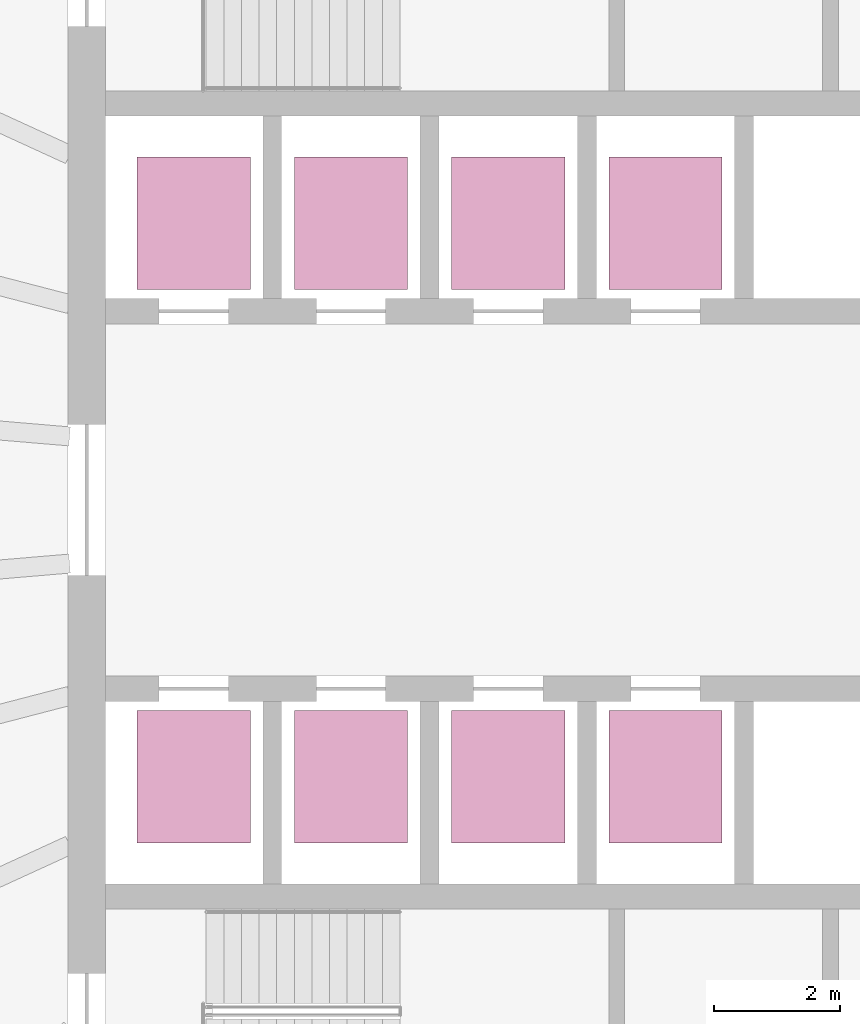
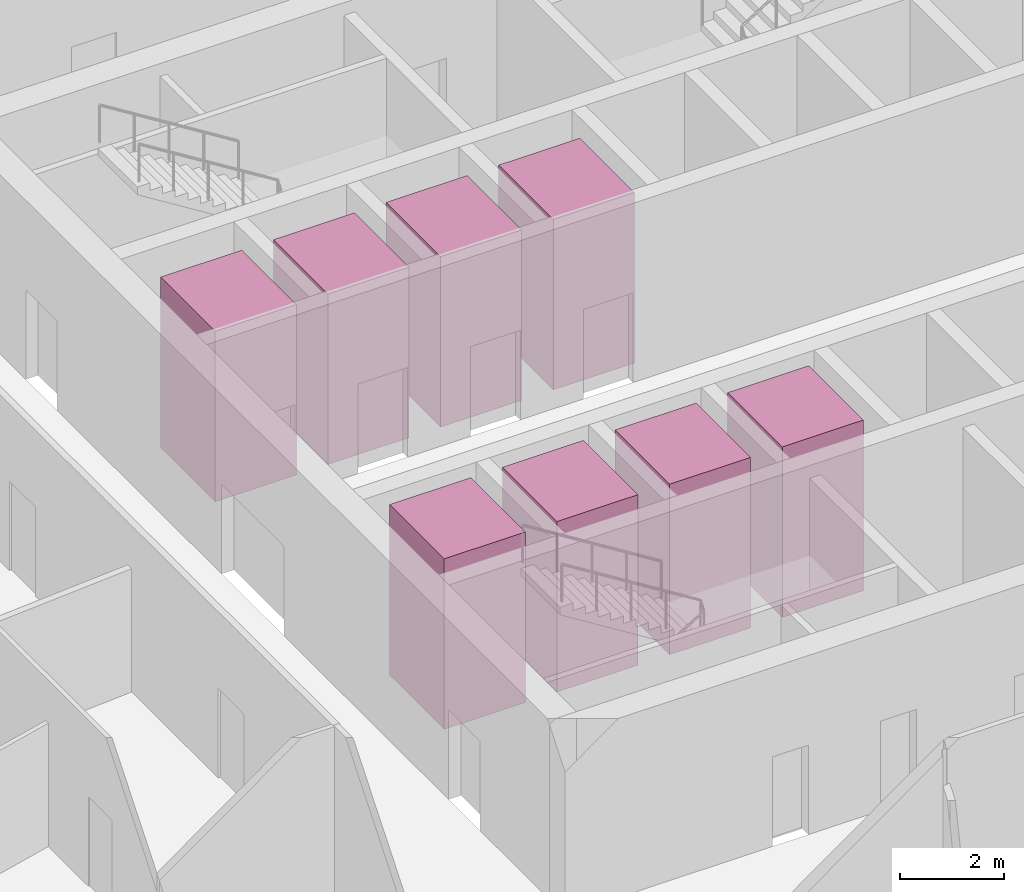
# One storey, part 12 of 12: 8 transport elements.
"""IFC4 building model written with IfcOpenShell, lengths in metres."""

from ifc_helpers import new_model, si_unit, direction, frame, origin, origin_2d, place, context, subcontext, project, spatial, rectangle, extrude, material, type_object, element, save


model = new_model("IFC4")

# Units and contexts
model_context = context("Model", 3, precision=1e-05, world=origin(), true_north=direction((0.0, 1.0)))
body_context = subcontext(model_context, "Body", "Model", "MODEL_VIEW")
ifc_project = project(units=[si_unit("LENGTHUNIT", "METRE"), si_unit("AREAUNIT", "SQUARE_METRE"), si_unit("VOLUMEUNIT", "CUBIC_METRE"), si_unit("PLANEANGLEUNIT", "RADIAN"), si_unit("MASSUNIT", "GRAM", prefix="KILO")], contexts=[model_context])

# Site, building, storey
site_placement = place(None, origin())
site = spatial("IfcSite", under=ifc_project, at=site_placement, CompositionType="ELEMENT")
building_placement = place(site_placement, origin())
building = spatial("IfcBuilding", under=site, at=building_placement, Name="Halqa Exchange Tower", CompositionType="ELEMENT")
storey_placement = place(building_placement, frame((0.0, 0.0, 27.699951171875)))
storey = spatial("IfcBuildingStorey", under=building, at=storey_placement, Name="L05", CompositionType="ELEMENT", Elevation=27.699951171875)

# Transport elements
ifc_material = material(Name="Stainless steel", Category="steel")
transport_element_type = type_object("IfcTransportElementType", Name="Low-rise passenger lift 1800 x 2100", PredefinedType="ELEVATOR", material=ifc_material)
for number, where, z_axis, x_axis, name in (
    (1, (-10.0, 4.39990234375, 0.0), (0.0, 0.0, 1.0), (1.0, 0.0, 0.0), "Low-rise passenger lift LR1"),
    (2, (-7.5, 4.39990234375, 0.0), (0.0, 0.0, 1.0), (1.0, 0.0, 0.0), "Low-rise passenger lift LR2"),
    (3, (-5.0, 4.39990234375, 0.0), (0.0, 0.0, 1.0), (1.0, 0.0, 0.0), "Low-rise passenger lift LR3"),
    (4, (-2.5, 4.39990234375, 0.0), (0.0, 0.0, 1.0), (1.0, 0.0, 0.0), "Low-rise passenger lift LR4"),
    (5, (-10.0, -4.39990234375, 0.0), (0.0, 0.0, 1.0), (1.0, 0.0, 0.0), "Low-rise passenger lift LR5"),
    (6, (-7.5, -4.39990234375, 0.0), (0.0, 0.0, 1.0), (1.0, 0.0, 0.0), "Low-rise passenger lift LR6"),
    (7, (-5.0, -4.39990234375, 0.0), (0.0, 0.0, 1.0), (1.0, 0.0, 0.0), "Low-rise passenger lift LR7"),
    (8, (-2.5, -4.39990234375, 0.0), (0.0, 0.0, 1.0), (1.0, 0.0, 0.0), "Low-rise passenger lift LR8"),
):
    element("IfcTransportElement", number, at=place(storey_placement, frame(where, z_axis=z_axis, x_axis=x_axis)), inside=storey, type_object=transport_element_type, Name=name, PredefinedType="ELEVATOR", context=body_context, shape_type="SweptSolid", body=[
        extrude(rectangle(XDim=1.800048828125, YDim=2.10009765625, at=origin_2d()), origin(), (0.0, 0.0, 1.0), 4.0),
    ])

save(model, "model.ifc")
